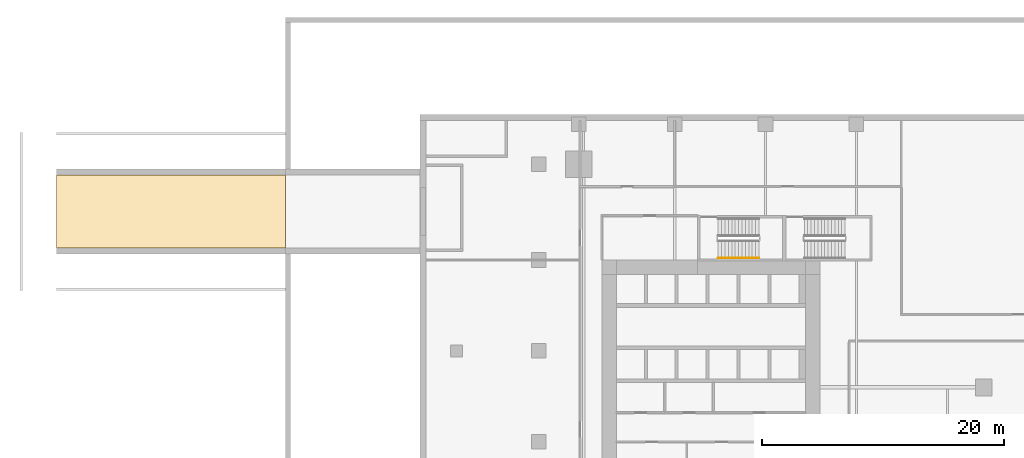
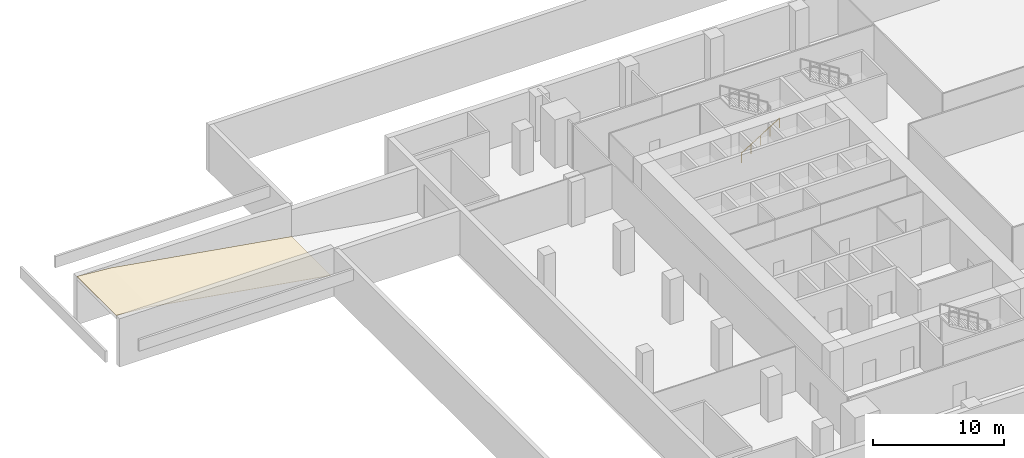
# One storey, part 10 of 11: 1 covering, 1 railing.
"""IFC4 building model written with IfcOpenShell, lengths in metres."""

from ifc_helpers import new_model, si_unit, direction, frame, origin, origin_2d, place, context, subcontext, project, spatial, polyline, circle, outline, extrude, source, transform, mapped, material, layer, layer_set, type_object, element, save


model = new_model("IFC4")

# Units and contexts
model_context = context("Model", 3, precision=1e-05, world=origin(), true_north=direction((0.0, 1.0)))
body_context = subcontext(model_context, "Body", "Model", "MODEL_VIEW")
ifc_project = project(units=[si_unit("LENGTHUNIT", "METRE"), si_unit("AREAUNIT", "SQUARE_METRE"), si_unit("VOLUMEUNIT", "CUBIC_METRE"), si_unit("PLANEANGLEUNIT", "RADIAN"), si_unit("MASSUNIT", "GRAM", prefix="KILO")], contexts=[model_context])

# Site, building, storey
site_placement = place(None, origin())
site = spatial("IfcSite", under=ifc_project, at=site_placement, CompositionType="ELEMENT")
building_placement = place(site_placement, origin())
building = spatial("IfcBuilding", under=site, at=building_placement, Name="Khomas Fold Tower", CompositionType="ELEMENT")
storey_placement = place(building_placement, frame((0.0, 0.0, -4.5)))
storey = spatial("IfcBuildingStorey", under=building, at=storey_placement, Name="B1", CompositionType="ELEMENT", Elevation=-4.5)

# Covering
ifc_material_1 = material(Name="Anti-slip epoxy aggregate ramp surface")
ifc_layer = layer(ifc_material_1, 0.030029296875)
ifc_layer_set = layer_set([ifc_layer], Name="Anti-slip epoxy aggregate ramp surface")
covering_type = type_object("IfcCoveringType", Name="Anti-slip ramp surface 30 PD-RS", PredefinedType="FLOORING", material=ifc_layer_set)
covering_placement = place(storey_placement, frame((-38.99462890625, 49.0, 4.530029296875), z_axis=(0.0, 0.0, 1.0), x_axis=(1.0, 0.0, 0.0)))
element("IfcCovering", 1, at=covering_placement, inside=storey, type_object=covering_type, Name="Anti-slip ramp surface", PredefinedType="FLOORING", context=body_context, shape_type="SweptSolid", body=[
    extrude(outline(polyline([(0.0, 0.0), (3.0, -0.249755859375), (18.896484375, -2.899658203125), (18.896484375, -2.929931640625), (3.0, -0.280029296875), (0.0, -0.030029296875), (0.0, 0.0)])), frame((0.0, 0.0, 0.0), z_axis=(0.0, -1.0, 0.0), x_axis=(1.0, 0.0, 0.0)), (0.0, 0.0, 1.0), 6.0),
])

# Railing
ifc_material_2 = material(Name="Steel handrail", Category="steel")
railing_type = type_object("IfcRailingType", Name="Stair handrail", PredefinedType="HANDRAIL", material=ifc_material_2)
shared_shape = source(origin(), body_context, "Body", "SweptSolid", [
    extrude(circle(Radius=0.02392578125, at=origin_2d()), frame((0.0, 0.0, 0.8759765625), z_axis=(0.850606129759, 0.0, 0.525803396734), x_axis=(0.0, 1.0, 0.0)), (0.0, 0.0, 1.0), 3.949951171875),
    extrude(circle(Radius=0.02099609375, at=origin_2d()), origin(), (0.0, 0.0, 1.0), 0.851806640625),
    extrude(circle(Radius=0.02099609375, at=origin_2d()), frame((0.83984375, 0.0, 0.519287109375)), (0.0, 0.0, 1.0), 0.851806640625),
    extrude(circle(Radius=0.02099609375, at=origin_2d()), frame((1.679931640625, 0.0, 1.03857421875)), (0.0, 0.0, 1.0), 0.851806640625),
    extrude(circle(Radius=0.02099609375, at=origin_2d()), frame((2.52001953125, 0.0, 1.5576171875)), (0.0, 0.0, 1.0), 0.851806640625),
    extrude(circle(Radius=0.02099609375, at=origin_2d()), frame((3.35986328125, 0.0, 2.076904296875)), (0.0, 0.0, 1.0), 0.851806640625),
])
railing_placement = place(storey_placement, frame((15.60009765625, 42.14990234375, 0.173095703125)))
element("IfcRailing", 2, at=railing_placement, inside=storey, type_object=railing_type, Name="B1 ST1 stair handrail 1", PredefinedType="HANDRAIL", context=body_context, shape_type="MappedRepresentation", body=[
    mapped(shared_shape, transform((0.0, 0.0, 0.0))),
])

save(model, "model.ifc")
